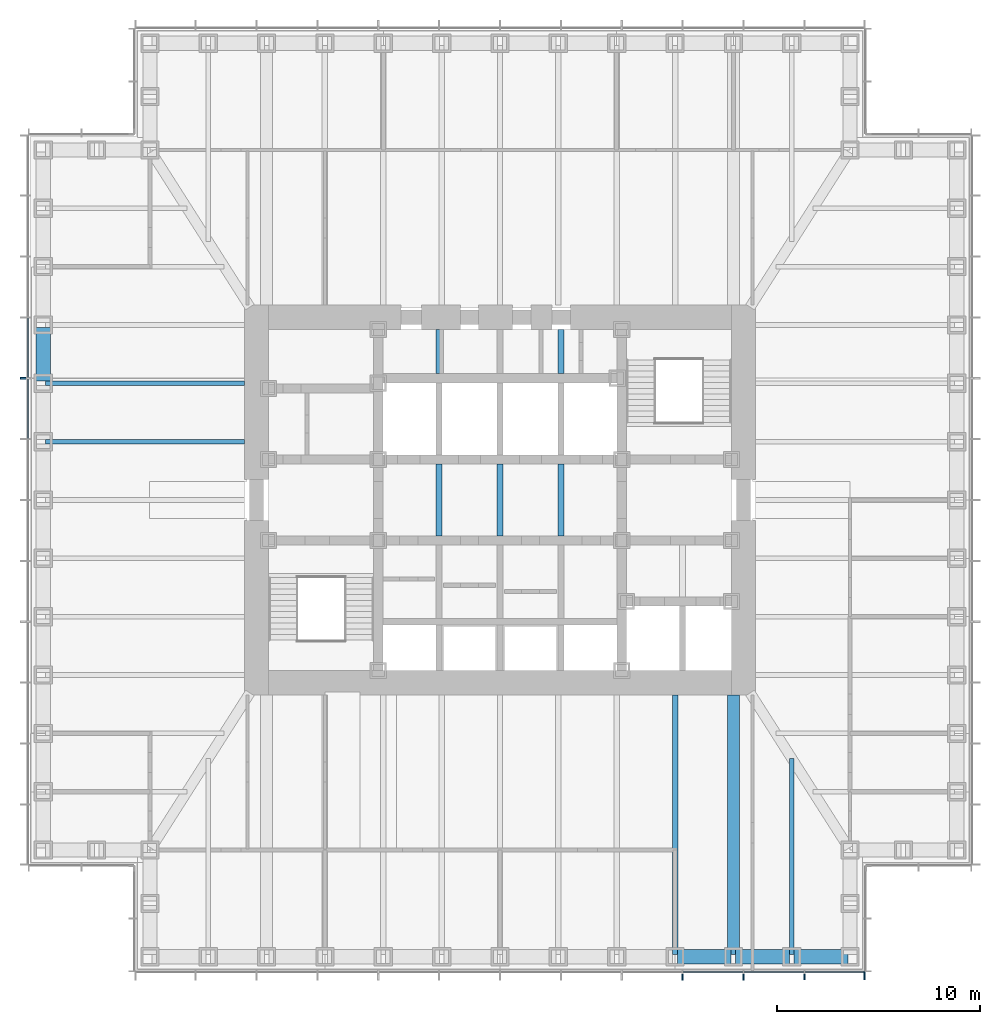
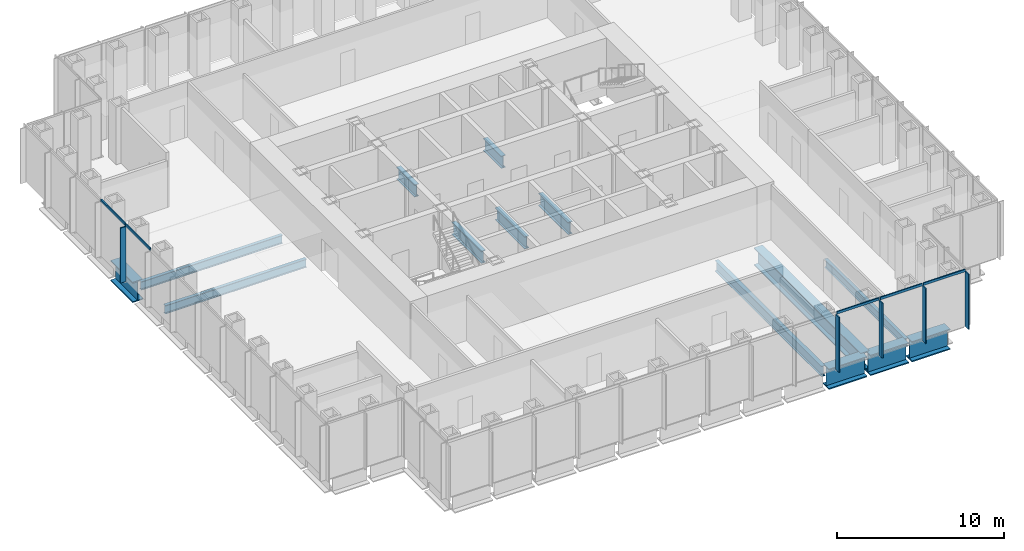
# One storey, part 3 of 17: 14 beams, 10 members, 2 elements without a shape of their own.
"""IFC4 building model written with IfcOpenShell, lengths in metres."""

from ifc_helpers import new_model, si_unit, direction, frame, origin, origin_2d, place, context, subcontext, project, spatial, rectangle, i_section, extrude, material, material_profile, profile_set, type_object, element, aggregate, save


model = new_model("IFC4")

# Units and contexts
model_context = context("Model", 3, precision=1e-05, world=origin(), true_north=direction((0.0, 1.0)))
body_context = subcontext(model_context, "Body", "Model", "MODEL_VIEW")
ifc_project = project(units=[si_unit("LENGTHUNIT", "METRE"), si_unit("AREAUNIT", "SQUARE_METRE"), si_unit("VOLUMEUNIT", "CUBIC_METRE"), si_unit("PLANEANGLEUNIT", "RADIAN"), si_unit("MASSUNIT", "GRAM", prefix="KILO")], contexts=[model_context])

# Site, building, storey
site_placement = place(None, origin())
site = spatial("IfcSite", under=ifc_project, at=site_placement, CompositionType="ELEMENT")
building_placement = place(site_placement, origin())
building = spatial("IfcBuilding", under=site, at=building_placement, Name="Daluyong Arena Tower", CompositionType="ELEMENT")
storey_placement = place(building_placement, frame((0.0, 0.0, 166.89990234375)))
storey = spatial("IfcBuildingStorey", under=building, at=storey_placement, Name="L37", CompositionType="ELEMENT", Elevation=166.89990234375)

# Curtain wall, members
ifc_material_1 = material(Name="Bronze anodised aluminium and glass", Category="aluminium")
curtain_wall_type = type_object("IfcCurtainWallType", Name="Curtain wall CW2", PredefinedType="USERDEFINED", material=ifc_material_1)
curtain_wall_1_placement = place(storey_placement, origin())
curtain_wall_1 = element("IfcCurtainWall", 1, at=curtain_wall_1_placement, inside=storey, type_object=curtain_wall_type, Name="curtain wall L37 S", ObjectType="UNITISED CURTAIN WALL", PredefinedType="USERDEFINED")
ifc_material_2 = material(Name="Bronze anodised aluminium fin", Category="aluminium")
ifc_material_profile_1 = material_profile(ifc_material_2, rectangle(XDim=0.39990234375, YDim=0.080078125, at=origin_2d()))
ifc_profile_set_1 = profile_set([ifc_material_profile_1], Name="Bronze anodised aluminium fin")
member_type_1 = type_object("IfcMemberType", Name="CW2 bronze fin 400x80", PredefinedType="MULLION", material=ifc_profile_set_1)
member_1_placement = place(storey_placement, frame((65.0, 56.550048828125, 0.0), z_axis=(0.0, 0.0, 1.0), x_axis=(0.0, 1.0, 0.0)))
member_1 = element("IfcMember", 2, at=member_1_placement, type_object=member_type_1, Name="curtain wall L37 S fin 10", PredefinedType="MULLION", context=body_context, shape_type="SweptSolid", body=[
    extrude(rectangle(XDim=0.39990234375, YDim=0.080078125, at=origin_2d()), origin(), (0.0, 0.0, 1.0), 4.02001953125),
])
member_2_placement = place(storey_placement, frame((68.0, 56.550048828125, 0.0), z_axis=(0.0, 0.0, 1.0), x_axis=(0.0, 1.0, 0.0)))
member_2 = element("IfcMember", 3, at=member_2_placement, type_object=member_type_1, Name="curtain wall L37 S fin 11", PredefinedType="MULLION", context=body_context, shape_type="SweptSolid", body=[
    extrude(rectangle(XDim=0.39990234375, YDim=0.080078125, at=origin_2d()), origin(), (0.0, 0.0, 1.0), 4.02001953125),
])
member_3_placement = place(storey_placement, frame((71.0, 56.550048828125, 0.0), z_axis=(0.0, 0.0, 1.0), x_axis=(0.0, 1.0, 0.0)))
member_3 = element("IfcMember", 4, at=member_3_placement, type_object=member_type_1, Name="curtain wall L37 S fin 12", PredefinedType="MULLION", context=body_context, shape_type="SweptSolid", body=[
    extrude(rectangle(XDim=0.39990234375, YDim=0.080078125, at=origin_2d()), origin(), (0.0, 0.0, 1.0), 4.02001953125),
])
member_4_placement = place(storey_placement, frame((73.9599609375, 56.550048828125, 0.0), z_axis=(0.0, 0.0, 1.0), x_axis=(0.0, 1.0, 0.0)))
member_4 = element("IfcMember", 5, at=member_4_placement, type_object=member_type_1, Name="curtain wall L37 S fin 13", PredefinedType="MULLION", context=body_context, shape_type="SweptSolid", body=[
    extrude(rectangle(XDim=0.39990234375, YDim=0.080078125, at=origin_2d()), origin(), (0.0, 0.0, 1.0), 4.02001953125),
])

# Curtain wall, member
curtain_wall_2_placement = place(storey_placement, origin())
curtain_wall_2 = element("IfcCurtainWall", 6, at=curtain_wall_2_placement, inside=storey, type_object=curtain_wall_type, Name="curtain wall L37 W", ObjectType="UNITISED CURTAIN WALL", PredefinedType="USERDEFINED")
member_5_placement = place(storey_placement, frame((32.550048828125, 86.0, 0.0), z_axis=(0.0, 0.0, 1.0), x_axis=(1.0, 0.0, 0.0)))
member_5 = element("IfcMember", 7, at=member_5_placement, type_object=member_type_1, Name="curtain wall L37 W fin 5", PredefinedType="MULLION", context=body_context, shape_type="SweptSolid", body=[
    extrude(rectangle(XDim=0.39990234375, YDim=0.080078125, at=origin_2d()), origin(), (0.0, 0.0, 1.0), 4.02001953125),
])

# Member
ifc_material_3 = material(Name="Bronze anodised aluminium", Category="aluminium")
ifc_material_profile_2 = material_profile(ifc_material_3, rectangle(XDim=0.080078125, YDim=0.179931640625, at=origin_2d()))
ifc_profile_set_2 = profile_set([ifc_material_profile_2], Name="Bronze anodised aluminium")
member_type_2 = type_object("IfcMemberType", Name="CW2 stack transom 180x80", PredefinedType="USERDEFINED", material=ifc_profile_set_2)
member_6_placement = place(storey_placement, frame((65.0400390625, 56.75, 4.110107421875), z_axis=(1.0, 0.0, 0.0), x_axis=(0.0, 1.0, 0.0)))
member_6 = element("IfcMember", 8, at=member_6_placement, type_object=member_type_2, Name="curtain wall L37 S transom 10", ObjectType="TRANSOM", PredefinedType="USERDEFINED", context=body_context, shape_type="SweptSolid", body=[
    extrude(rectangle(XDim=0.080078125, YDim=0.179931640625, at=origin_2d()), origin(), (0.0, 0.0, 1.0), 2.919921875),
])

member_7_placement = place(storey_placement, frame((68.0400390625, 56.75, 4.110107421875), z_axis=(1.0, 0.0, 0.0), x_axis=(0.0, 1.0, 0.0)))
member_7 = element("IfcMember", 9, at=member_7_placement, type_object=member_type_2, Name="curtain wall L37 S transom 11", ObjectType="TRANSOM", PredefinedType="USERDEFINED", context=body_context, shape_type="SweptSolid", body=[
    extrude(rectangle(XDim=0.080078125, YDim=0.179931640625, at=origin_2d()), origin(), (0.0, 0.0, 1.0), 2.919921875),
])

member_8_placement = place(storey_placement, frame((71.0400390625, 56.75, 4.110107421875), z_axis=(1.0, 0.0, 0.0), x_axis=(0.0, 1.0, 0.0)))
member_8 = element("IfcMember", 10, at=member_8_placement, type_object=member_type_2, Name="curtain wall L37 S transom 12", ObjectType="TRANSOM", PredefinedType="USERDEFINED", context=body_context, shape_type="SweptSolid", body=[
    extrude(rectangle(XDim=0.080078125, YDim=0.179931640625, at=origin_2d()), origin(), (0.0, 0.0, 1.0), 2.8798828125),
])

aggregate(curtain_wall_1, [member_1, member_2, member_3, member_4, member_6, member_7, member_8])

member_9_placement = place(storey_placement, frame((32.75, 88.9599609375, 4.110107421875), z_axis=(0.0, -1.0, 0.0), x_axis=(1.0, 0.0, 0.0)))
member_9 = element("IfcMember", 11, at=member_9_placement, type_object=member_type_2, Name="curtain wall L37 W transom 4", ObjectType="TRANSOM", PredefinedType="USERDEFINED", context=body_context, shape_type="SweptSolid", body=[
    extrude(rectangle(XDim=0.080078125, YDim=0.179931640625, at=origin_2d()), origin(), (0.0, 0.0, 1.0), 2.919921875),
])

member_10_placement = place(storey_placement, frame((32.75, 85.9599609375, 4.110107421875), z_axis=(0.0, -1.0, 0.0), x_axis=(1.0, 0.0, 0.0)))
member_10 = element("IfcMember", 12, at=member_10_placement, type_object=member_type_2, Name="curtain wall L37 W transom 5", ObjectType="TRANSOM", PredefinedType="USERDEFINED", context=body_context, shape_type="SweptSolid", body=[
    extrude(rectangle(XDim=0.080078125, YDim=0.179931640625, at=origin_2d()), origin(), (0.0, 0.0, 1.0), 2.919921875),
])

aggregate(curtain_wall_2, [member_5, member_9, member_10])

# Beams
ifc_material_4 = material(Name="Steel ASTM A572 Grade 50", Category="steel")
ifc_material_profile_3 = material_profile(ifc_material_4, i_section(OverallWidth=0.60009765625, OverallDepth=1.300048828125, WebThickness=0.035, FlangeThickness=0.07, at=origin_2d()))
ifc_profile_set_3 = profile_set([ifc_material_profile_3], Name="Steel ASTM A572 Grade 50")
beam_type_1 = type_object("IfcBeamType", Name="Floor beam TB1300X600", PredefinedType="BEAM", material=ifc_profile_set_3)
beam_1_placement = place(storey_placement, frame((67.5, 57.614990234375, -0.809814453125), z_axis=(0.0, 1.0, 0.0), x_axis=(-1.0, 0.0, 0.0)))
element("IfcBeam", 13, at=beam_1_placement, inside=storey, type_object=beam_type_1, Name="floor beam FB7", PredefinedType="BEAM", context=body_context, shape_type="SweptSolid", body=[
    extrude(i_section(OverallWidth=0.60009765625, OverallDepth=1.300048828125, WebThickness=0.035, FlangeThickness=0.07, at=origin_2d()), origin(), (0.0, 0.0, 1.0), 12.784912109375),
])
ifc_material_5 = material(Name="Steel ASTM A992 Grade 50", Category="steel")
ifc_material_profile_4 = material_profile(ifc_material_5, i_section(OverallWidth=0.22900390625, OverallDepth=0.612060546875, WebThickness=0.011962890625, FlangeThickness=0.01953125, at=origin_2d()))
ifc_profile_set_4 = profile_set([ifc_material_profile_4], Name="Steel ASTM A992 Grade 50")
beam_type_2 = type_object("IfcBeamType", Name="Floor beam W24X84", PredefinedType="BEAM", material=ifc_profile_set_4)
beam_2_placement = place(storey_placement, frame((70.375, 57.614990234375, -0.466064453125), z_axis=(0.0, 1.0, 0.0), x_axis=(-1.0, 0.0, 0.0)))
element("IfcBeam", 14, at=beam_2_placement, inside=storey, type_object=beam_type_2, Name="floor beam FB3", PredefinedType="BEAM", context=body_context, shape_type="SweptSolid", body=[
    extrude(i_section(OverallWidth=0.22900390625, OverallDepth=0.612060546875, WebThickness=0.011962890625, FlangeThickness=0.01953125, at=origin_2d()), origin(), (0.0, 0.0, 1.0), 9.65283203125),
])
for number, where, z_axis, x_axis, name in (
    (15, (33.614990234375, 85.75, -0.466064453125), (1.0, 0.0, 0.0), (0.0, 1.0, 0.0), "floor beam FB3"),
    (16, (33.614990234375, 82.875, -0.466064453125), (1.0, 0.0, 0.0), (0.0, 1.0, 0.0), "floor beam FB3"),
):
    element("IfcBeam", number, at=place(storey_placement, frame(where, z_axis=z_axis, x_axis=x_axis)), inside=storey, type_object=beam_type_2, Name=name, PredefinedType="BEAM", context=body_context, shape_type="SweptSolid", body=[
        extrude(i_section(OverallWidth=0.22900390625, OverallDepth=0.612060546875, WebThickness=0.011962890625, FlangeThickness=0.01953125, at=origin_2d()), origin(), (0.0, 0.0, 1.0), 9.784912109375),
    ])
ifc_material_6 = material(Name="Steel ASTM A992 Grade 50", Category="steel")
ifc_material_profile_5 = material_profile(ifc_material_6, i_section(OverallWidth=0.2666015625, OverallDepth=0.761962890625, WebThickness=0.014404296875, FlangeThickness=0.021484375, at=origin_2d()))
ifc_profile_set_5 = profile_set([ifc_material_profile_5], Name="Steel ASTM A992 Grade 50")
beam_type_3 = type_object("IfcBeamType", Name="Floor beam W30X116", PredefinedType="BEAM", material=ifc_profile_set_5)
beam_3_placement = place(storey_placement, frame((64.625, 57.614990234375, -0.541015625), z_axis=(0.0, 1.0, 0.0), x_axis=(-1.0, 0.0, 0.0)))
element("IfcBeam", 17, at=beam_3_placement, inside=storey, type_object=beam_type_3, Name="floor beam FB4", PredefinedType="BEAM", context=body_context, shape_type="SweptSolid", body=[
    extrude(i_section(OverallWidth=0.2666015625, OverallDepth=0.761962890625, WebThickness=0.014404296875, FlangeThickness=0.021484375, at=origin_2d()), origin(), (0.0, 0.0, 1.0), 12.784912109375),
])
ifc_material_7 = material(Name="Steel ASTM A572 Grade 50", Category="steel")
ifc_material_profile_6 = material_profile(ifc_material_7, i_section(OverallWidth=0.300048828125, OverallDepth=0.89990234375, WebThickness=0.025, FlangeThickness=0.04, at=origin_2d()))
ifc_profile_set_6 = profile_set([ifc_material_profile_6], Name="Steel ASTM A572 Grade 50")
beam_type_4 = type_object("IfcBeamType", Name="Lift divider beam PG900X300", PredefinedType="BEAM", material=ifc_profile_set_6)
beam_4_placement = place(storey_placement, frame((53.0, 78.22509765625, -0.60986328125), z_axis=(0.0, 1.0, 0.0), x_axis=(-1.0, 0.0, 0.0)))
element("IfcBeam", 18, at=beam_4_placement, inside=storey, type_object=beam_type_4, Name="lift divider beam DB1", PredefinedType="BEAM", context=body_context, shape_type="SweptSolid", body=[
    extrude(i_section(OverallWidth=0.300048828125, OverallDepth=0.89990234375, WebThickness=0.025, FlangeThickness=0.04, at=origin_2d()), origin(), (0.0, 0.0, 1.0), 3.5498046875),
])
beam_5_placement = place(storey_placement, frame((53.0, 86.22509765625, -0.60986328125), z_axis=(0.0, 1.0, 0.0), x_axis=(-1.0, 0.0, 0.0)))
element("IfcBeam", 19, at=beam_5_placement, inside=storey, type_object=beam_type_4, Name="lift divider beam DB1", PredefinedType="BEAM", context=body_context, shape_type="SweptSolid", body=[
    extrude(i_section(OverallWidth=0.300048828125, OverallDepth=0.89990234375, WebThickness=0.025, FlangeThickness=0.04, at=origin_2d()), origin(), (0.0, 0.0, 1.0), 2.1748046875),
])
for number, where, z_axis, x_axis, name in (
    (20, (56.0, 78.22509765625, -0.60986328125), (0.0, 1.0, 0.0), (-1.0, 0.0, 0.0), "lift divider beam DB1"),
    (21, (59.0, 78.22509765625, -0.60986328125), (0.0, 1.0, 0.0), (-1.0, 0.0, 0.0), "lift divider beam DB1"),
):
    element("IfcBeam", number, at=place(storey_placement, frame(where, z_axis=z_axis, x_axis=x_axis)), inside=storey, type_object=beam_type_4, Name=name, PredefinedType="BEAM", context=body_context, shape_type="SweptSolid", body=[
        extrude(i_section(OverallWidth=0.300048828125, OverallDepth=0.89990234375, WebThickness=0.025, FlangeThickness=0.04, at=origin_2d()), origin(), (0.0, 0.0, 1.0), 3.5498046875),
    ])
beam_6_placement = place(storey_placement, frame((59.0, 86.22509765625, -0.60986328125), z_axis=(0.0, 1.0, 0.0), x_axis=(-1.0, 0.0, 0.0)))
element("IfcBeam", 22, at=beam_6_placement, inside=storey, type_object=beam_type_4, Name="lift divider beam DB1", PredefinedType="BEAM", context=body_context, shape_type="SweptSolid", body=[
    extrude(i_section(OverallWidth=0.300048828125, OverallDepth=0.89990234375, WebThickness=0.025, FlangeThickness=0.04, at=origin_2d()), origin(), (0.0, 0.0, 1.0), 2.1748046875),
])
ifc_material_8 = material(Name="Steel ASTM A572 Grade 50", Category="steel")
ifc_material_profile_7 = material_profile(ifc_material_8, i_section(OverallWidth=0.699951171875, OverallDepth=1.5, WebThickness=0.04, FlangeThickness=0.08, at=origin_2d()))
ifc_profile_set_7 = profile_set([ifc_material_profile_7], Name="Steel ASTM A572 Grade 50")
beam_type_5 = type_object("IfcBeamType", Name="Spandrel Z2 PG1500X700", PredefinedType="SPANDREL", material=ifc_profile_set_7)
for number, where, z_axis, x_axis, name in (
    (23, (64.739990234375, 57.5, -0.909912109375), (1.0, 0.0, 0.0), (0.0, 1.0, 0.0), "spandrel z2 SB6"),
    (24, (67.614990234375, 57.5, -0.909912109375), (1.0, 0.0, 0.0), (0.0, 1.0, 0.0), "spandrel z2 SB6"),
    (25, (70.489990234375, 57.5, -0.909912109375), (1.0, 0.0, 0.0), (0.0, 1.0, 0.0), "spandrel z2 SB6"),
    (26, (33.5, 88.510009765625, -0.909912109375), (0.0, -1.0, 0.0), (1.0, 0.0, 0.0), "spandrel z2 SB6"),
):
    element("IfcBeam", number, at=place(storey_placement, frame(where, z_axis=z_axis, x_axis=x_axis)), inside=storey, type_object=beam_type_5, Name=name, PredefinedType="SPANDREL", context=body_context, shape_type="SweptSolid", body=[
        extrude(i_section(OverallWidth=0.699951171875, OverallDepth=1.5, WebThickness=0.04, FlangeThickness=0.08, at=origin_2d()), origin(), (0.0, 0.0, 1.0), 2.64501953125),
    ])

save(model, "model.ifc")
